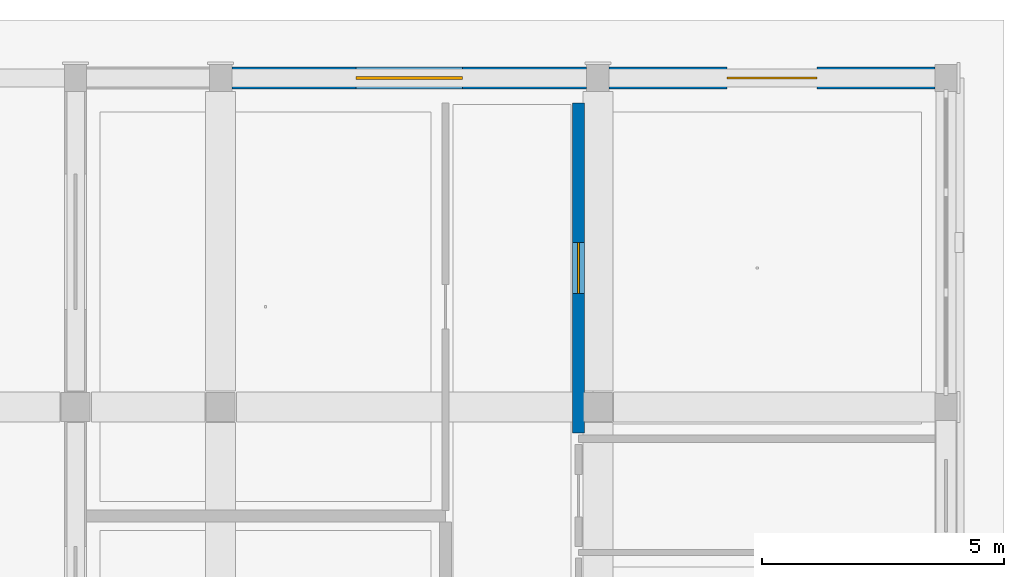
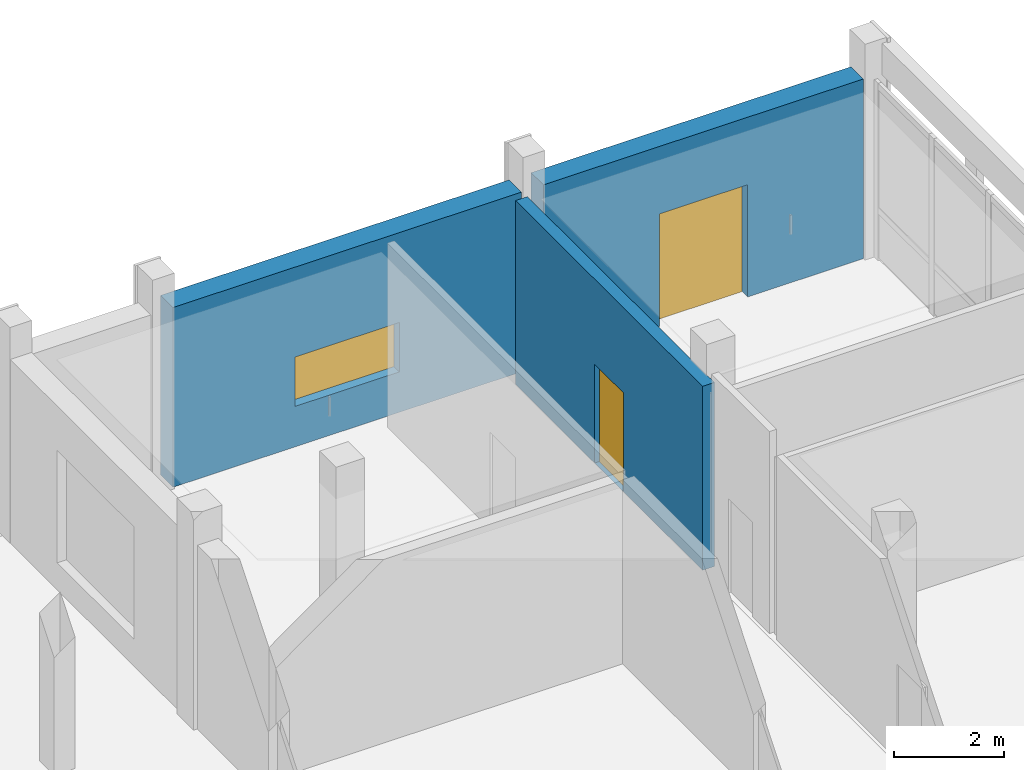
# One storey, part 56 of 88: 3 walls, 2 doors, 1 window, 3 openings.
"""IFC4 building model written with IfcOpenShell, lengths in metres."""

from ifc_helpers import new_model, si_unit, derived_unit, direction, frame, frame_2d, origin, origin_with_axes, place, context, subcontext, project, spatial, rectangle, extrude, material, layer, layer_set, type_object, element, fill, save


model = new_model("IFC4")

# Units and contexts
model_context = context("Model", 3, precision=1e-05, world=origin(), true_north=direction((0.0, 1.0)))
body_context = subcontext(model_context, "Body", "Model", "MODEL_VIEW")
ifc_project = project(units=[si_unit("LENGTHUNIT", "METRE"), si_unit("AREAUNIT", "SQUARE_METRE"), si_unit("VOLUMEUNIT", "CUBIC_METRE"), si_unit("PLANEANGLEUNIT", "RADIAN"), si_unit("MASSUNIT", "GRAM", prefix="KILO"), derived_unit("THERMALTRANSMITTANCEUNIT", [(si_unit("POWERUNIT", "WATT"), 1), (si_unit("LENGTHUNIT", "METRE"), -2), (si_unit("THERMODYNAMICTEMPERATUREUNIT", "KELVIN"), -1)])], contexts=[model_context])

# Site, building, storey
site_placement = place(None, origin())
site = spatial("IfcSite", under=ifc_project, at=site_placement, CompositionType="ELEMENT")
building_placement = place(site_placement, origin())
building = spatial("IfcBuilding", under=site, at=building_placement, Name="Braskholm Square Health Centre", CompositionType="ELEMENT")
storey_placement = place(building_placement, origin())
storey = spatial("IfcBuildingStorey", under=building, at=storey_placement, Name="L01", CompositionType="ELEMENT", Elevation=0.0)

# Wall, opening, door
ifc_material_1 = material(Name="Mankato-Kasota dolomitic limestone ashlar", Category="masonry")
ifc_layer_1 = layer(ifc_material_1, 0.449951171875)
ifc_layer_set_1 = layer_set([ifc_layer_1], Name="Mankato-Kasota dolomitic limestone ashlar")
wall_type_1 = type_object("IfcWallType", Name="ExteriorKasotaWall450", PredefinedType="SOLIDWALL", material=ifc_layer_set_1)
wall_1_placement = place(storey_placement, frame((163.568115234375, 113.800048828125, 0.0), z_axis=(0.0, 0.0, 1.0), x_axis=(-1.0, 0.0, 0.0)))
wall_1 = element("IfcWall", 1, at=wall_1_placement, inside=storey, type_object=wall_type_1, Name="Exterior wall EWALL-L01-0245", PredefinedType="SOLIDWALL", context=body_context, shape_type="SweptSolid", body=[
    extrude(rectangle(XDim=6.736083984375, YDim=0.449951171875, at=frame_2d((3.3681640625, 0.0))), origin(), (0.0, 0.0, 1.0), 4.0),
])
opening_1_placement = place(wall_1_placement, frame((2.43798828125, 0.0, 0.0)))
opening_1 = element("IfcOpeningElement", 2, at=opening_1_placement, cuts=wall_1, Name="Opening D-E2", PredefinedType="OPENING", context=body_context, shape_type="SweptSolid", body=[
    extrude(rectangle(XDim=1.860107421875, YDim=2.5, at=frame_2d((0.93017578125, 1.25))), frame((0.0, 0.23486328125, 0.0), z_axis=(0.0, -1.0, 0.0), x_axis=(1.0, 0.0, 0.0)), (0.0, 0.0, 1.0), 0.469970703125),
])
ifc_material_2 = material(Name="Low-E triple insulating glass (VLT 0.64)", Category="glass")
door_type_1 = type_object("IfcDoorType", Name="DoorSquareEntrancePair1860x2500", OperationType="DOUBLE_DOOR_SINGLE_SWING", PredefinedType="DOOR", material=ifc_material_2)
door_1_placement = place(opening_1_placement, frame((1.860107421875, 0.0, 0.0), z_axis=(0.0, 0.0, 1.0), x_axis=(-1.0, 0.0, 0.0)))
door_1 = element("IfcDoor", 3, at=door_1_placement, inside=storey, type_object=door_type_1, Name="Exterior door 0035 L01", OperationType="DOUBLE_DOOR_SINGLE_SWING", OverallHeight=2.5, OverallWidth=1.860107421875, PredefinedType="DOOR", context=body_context, shape_type="SweptSolid", body=[
    extrude(rectangle(XDim=1.860107421875, YDim=2.5, at=frame_2d((0.93017578125, 1.25))), frame((0.0, 0.02490234375, 0.0), z_axis=(0.0, -1.0, 0.0), x_axis=(1.0, 0.0, 0.0)), (0.0, 0.0, 1.0), 0.050048828125),
])
fill(opening_1, door_1)

# Wall, opening, window
wall_2_placement = place(storey_placement, frame((156.367919921875, 113.800048828125, 0.0), z_axis=(0.0, 0.0, 1.0), x_axis=(-1.0, 0.0, 0.0)))
wall_2 = element("IfcWall", 4, at=wall_2_placement, inside=storey, type_object=wall_type_1, Name="Exterior wall EWALL-L01-0246", PredefinedType="SOLIDWALL", context=body_context, shape_type="SweptSolid", body=[
    extrude(rectangle(XDim=7.3359375, YDim=0.449951171875, at=frame_2d((3.66796875, 0.0))), origin(), (0.0, 0.0, 1.0), 4.0),
])
opening_2_placement = place(wall_2_placement, frame((2.568115234375, 0.0, 0.89990234375)))
opening_2 = element("IfcOpeningElement", 5, at=opening_2_placement, cuts=wall_2, Name="Opening WN-28", PredefinedType="OPENING", context=body_context, shape_type="SweptSolid", body=[
    extrude(rectangle(XDim=2.199951171875, YDim=1.10009765625, at=frame_2d((1.10009765625, 0.550048828125))), frame((0.0, 0.23486328125, 0.0), z_axis=(0.0, -1.0, 0.0), x_axis=(1.0, 0.0, 0.0)), (0.0, 0.0, 1.0), 0.469970703125),
])
window_type = type_object("IfcWindowType", Name="WinClerestoryRibbon2200x1100", PartitioningType="SINGLE_PANEL", PredefinedType="WINDOW", material=ifc_material_2)
window_placement = place(opening_2_placement, origin_with_axes())
window = element("IfcWindow", 6, at=window_placement, inside=storey, type_object=window_type, Name="Exterior window 0297 L01", OverallHeight=1.10009765625, OverallWidth=2.199951171875, PartitioningType="SINGLE_PANEL", PredefinedType="WINDOW", context=body_context, shape_type="SweptSolid", body=[
    extrude(rectangle(XDim=2.199951171875, YDim=1.10009765625, at=frame_2d((1.10009765625, 0.550048828125))), frame((0.0, 0.030029296875, 0.0), z_axis=(0.0, -1.0, 0.0), x_axis=(1.0, 0.0, 0.0)), (0.0, 0.0, 1.0), 0.06005859375),
])
fill(opening_2, window)

# Wall, opening, door
ifc_material_3 = material(Name="Concrete C35/45 (f'c = 35 MPa)", Category="concrete")
ifc_layer_2 = layer(ifc_material_3, 0.25)
ifc_layer_set_2 = layer_set([ifc_layer_2], Name="Concrete C35/45 (f'c = 35 MPa)")
wall_type_2 = type_object("IfcWallType", Name="FireBarrierWall250", PredefinedType="SOLIDWALL", material=ifc_layer_set_2)
wall_3_placement = place(storey_placement, frame((156.199951171875, 106.4599609375, 0.0), z_axis=(0.0, 0.0, 1.0), x_axis=(0.0, 1.0, 0.0)))
wall_3 = element("IfcWall", 7, at=wall_3_placement, inside=storey, type_object=wall_type_2, Name="Interior partition PWALL-L01-0316", PredefinedType="SOLIDWALL", context=body_context, shape_type="SweptSolid", body=[
    extrude(rectangle(XDim=6.820068359375, YDim=0.25, at=frame_2d((3.41015625, 0.0))), origin(), (0.0, 0.0, 1.0), 4.094970703125),
])
opening_3_placement = place(wall_3_placement, frame((2.8798828125, 0.0, 0.0)))
opening_3 = element("IfcOpeningElement", 8, at=opening_3_placement, cuts=wall_3, Name="Opening D-18", PredefinedType="OPENING", context=body_context, shape_type="SweptSolid", body=[
    extrude(rectangle(XDim=1.06005859375, YDim=2.199951171875, at=frame_2d((0.530029296875, 1.10009765625))), frame((0.0, 0.135009765625, 0.0), z_axis=(0.0, -1.0, 0.0), x_axis=(1.0, 0.0, 0.0)), (0.0, 0.0, 1.0), 0.27001953125),
])
ifc_material_4 = material(Name="Architectural bronze anodised aluminium", Category="aluminium")
door_type_2 = type_object("IfcDoorType", Name="DoorFirePartitionSingle1060x2200", OperationType="NOTDEFINED", PredefinedType="DOOR", material=ifc_material_4)
door_2_placement = place(opening_3_placement, frame((1.06005859375, 0.0, 0.0), z_axis=(0.0, 0.0, 1.0), x_axis=(-1.0, 0.0, 0.0)))
door_2 = element("IfcDoor", 9, at=door_2_placement, inside=storey, type_object=door_type_2, Name="Interior door 0147 L01", OperationType="SINGLE_SWING_RIGHT", OverallHeight=2.199951171875, OverallWidth=1.06005859375, PredefinedType="DOOR", context=body_context, shape_type="SweptSolid", body=[
    extrude(rectangle(XDim=1.06005859375, YDim=2.199951171875, at=frame_2d((0.530029296875, 1.10009765625))), frame((0.0, 0.02490234375, 0.0), z_axis=(0.0, -1.0, 0.0), x_axis=(1.0, 0.0, 0.0)), (0.0, 0.0, 1.0), 0.050048828125),
])
fill(opening_3, door_2)

save(model, "model.ifc")
